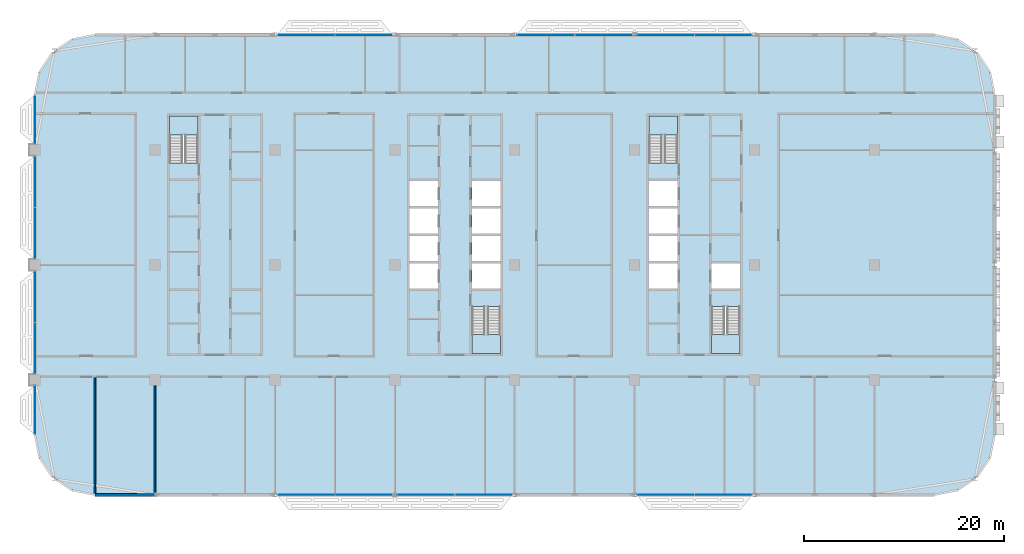
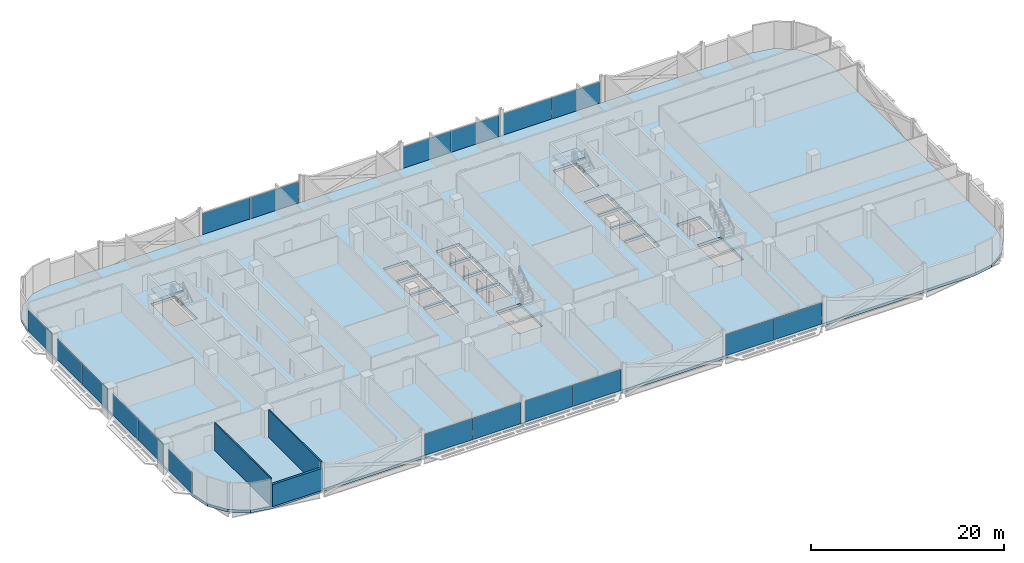
# One storey, part 12 of 29: 18 plates, 5 slabs, 3 walls, 14 elements without a shape of their own.
"""IFC4 building model written with IfcOpenShell, lengths in metres."""

from ifc_helpers import new_model, si_unit, direction, frame, frame_2d, origin, origin_2d, place, context, subcontext, project, spatial, polyline, rectangle, outline, extrude, material, layer, layer_set, type_object, element, aggregate, save


model = new_model("IFC4")

# Units and contexts
model_context = context("Model", 3, precision=1e-05, world=origin(), true_north=direction((0.0, 1.0)))
body_context = subcontext(model_context, "Body", "Model", "MODEL_VIEW")
ifc_project = project(units=[si_unit("LENGTHUNIT", "METRE"), si_unit("AREAUNIT", "SQUARE_METRE"), si_unit("VOLUMEUNIT", "CUBIC_METRE"), si_unit("PLANEANGLEUNIT", "RADIAN"), si_unit("MASSUNIT", "GRAM", prefix="KILO")], contexts=[model_context])

# Site, building, storey
site_placement = place(None, origin())
site = spatial("IfcSite", under=ifc_project, at=site_placement, CompositionType="ELEMENT")
building_placement = place(site_placement, origin())
building = spatial("IfcBuilding", under=site, at=building_placement, Name="Mahtab Terrace Research Tower", CompositionType="ELEMENT")
storey_placement = place(building_placement, frame((0.0, 0.0, 197.699951171875)))
storey = spatial("IfcBuildingStorey", under=building, at=storey_placement, Name="L47", CompositionType="ELEMENT", Elevation=197.699951171875)

# Stair, slab
ifc_material_1 = material(Name="Exit stair half-turn")
stair_type = type_object("IfcStairType", Name="Exit stair half-turn", PredefinedType="HALF_TURN_STAIR", material=ifc_material_1)
stair_1_placement = place(storey_placement, origin())
stair_1 = element("IfcStair", 1, at=stair_1_placement, inside=storey, type_object=stair_type, Name="L47 Protected exit stair ST1", PredefinedType="HALF_TURN_STAIR")
ifc_material_2 = material(Name="Concrete C40/50", Category="concrete")
ifc_layer_1 = layer(ifc_material_2, 0.199951171875)
ifc_layer_set_1 = layer_set([ifc_layer_1], Name="Exit stair landing 200")
slab_type_1 = type_object("IfcSlabType", Name="Exit stair landing 200", PredefinedType="LANDING", material=ifc_layer_set_1)
slab_1_placement = place(storey_placement, frame((0.0, 0.0, 1.699951171875)))
slab_1 = element("IfcSlab", 2, at=slab_1_placement, type_object=slab_type_1, Name="ST1 landing 1", PredefinedType="LANDING", context=body_context, shape_type="SweptSolid", body=[
    extrude(outline(polyline([(-25.699951171875, 12.97509765625), (-25.699951171875, 14.875), (-28.550048828125, 14.875), (-28.550048828125, 12.97509765625), (-25.699951171875, 12.97509765625)])), origin(), (0.0, 0.0, 1.0), 0.2001953125),
])
aggregate(stair_1, [slab_1])

stair_2_placement = place(storey_placement, origin())
stair_2 = element("IfcStair", 3, at=stair_2_placement, inside=storey, type_object=stair_type, Name="L47 Protected exit stair ST2", PredefinedType="HALF_TURN_STAIR")
slab_2_placement = place(storey_placement, frame((0.0, 0.0, 1.699951171875)))
slab_2 = element("IfcSlab", 4, at=slab_2_placement, type_object=slab_type_1, Name="ST2 landing 1", PredefinedType="LANDING", context=body_context, shape_type="SweptSolid", body=[
    extrude(outline(polyline([(1.699951171875, -6.97509765625), (1.699951171875, -8.875), (4.550048828125, -8.875), (4.550048828125, -6.97509765625), (1.699951171875, -6.97509765625)])), origin(), (0.0, 0.0, 1.0), 0.2001953125),
])
aggregate(stair_2, [slab_2])

stair_3_placement = place(storey_placement, origin())
stair_3 = element("IfcStair", 5, at=stair_3_placement, inside=storey, type_object=stair_type, Name="L47 Protected exit stair ST3", PredefinedType="HALF_TURN_STAIR")
slab_3_placement = place(storey_placement, frame((0.0, 0.0, 1.699951171875)))
slab_3 = element("IfcSlab", 6, at=slab_3_placement, type_object=slab_type_1, Name="ST3 landing 1", PredefinedType="LANDING", context=body_context, shape_type="SweptSolid", body=[
    extrude(outline(polyline([(22.300048828125, 12.97509765625), (22.300048828125, 14.875), (19.449951171875, 14.875), (19.449951171875, 12.97509765625), (22.300048828125, 12.97509765625)])), origin(), (0.0, 0.0, 1.0), 0.2001953125),
])
aggregate(stair_3, [slab_3])

stair_4_placement = place(storey_placement, origin())
stair_4 = element("IfcStair", 7, at=stair_4_placement, inside=storey, type_object=stair_type, Name="L47 Protected exit stair ST4", PredefinedType="HALF_TURN_STAIR")
slab_4_placement = place(storey_placement, frame((0.0, 0.0, 1.699951171875)))
slab_4 = element("IfcSlab", 8, at=slab_4_placement, type_object=slab_type_1, Name="ST4 landing 1", PredefinedType="LANDING", context=body_context, shape_type="SweptSolid", body=[
    extrude(outline(polyline([(25.699951171875, -6.97509765625), (25.699951171875, -8.875), (28.550048828125, -8.875), (28.550048828125, -6.97509765625), (25.699951171875, -6.97509765625)])), origin(), (0.0, 0.0, 1.0), 0.2001953125),
])
aggregate(stair_4, [slab_4])

# Curtain wall, plates
ifc_material_3 = material(Name="Laboratory ribbon curtain wall")
curtain_wall_type = type_object("IfcCurtainWallType", Name="Laboratory ribbon curtain wall", PredefinedType="NOTDEFINED", material=ifc_material_3)
curtain_wall_1_placement = place(storey_placement, origin())
curtain_wall_1 = element("IfcCurtainWall", 9, at=curtain_wall_1_placement, inside=storey, type_object=curtain_wall_type, Name="EN.L47.3.5", PredefinedType="NOTDEFINED")
ifc_material_4 = material(Name="Dark glazing", Category="glass")
ifc_layer_2 = layer(ifc_material_4, 0.031982421875)
ifc_layer_set_2 = layer_set([ifc_layer_2], Name="Laboratory ribbon curtain wall glazing panel")
plate_type = type_object("IfcPlateType", Name="Laboratory ribbon curtain wall glazing panel", PredefinedType="CURTAIN_PANEL", material=ifc_layer_set_2)
plate_1_placement = place(storey_placement, frame((26.8837890625, 23.0, 0.0), z_axis=(0.0, 0.0, 1.0), x_axis=(-1.0, 0.0, 0.0)))
plate_1 = element("IfcPlate", 10, at=plate_1_placement, type_object=plate_type, Name="CWL-6 panel 1", PredefinedType="CURTAIN_PANEL", context=body_context, shape_type="SweptSolid", body=[
    extrude(rectangle(XDim=5.702392578125, YDim=0.031982421875, at=origin_2d()), origin(), (0.0, 0.0, 1.0), 2.681884765625),
])
plate_2_placement = place(storey_placement, frame((21.1162109375, 23.0, 0.0), z_axis=(0.0, 0.0, 1.0), x_axis=(-1.0, 0.0, 0.0)))
plate_2 = element("IfcPlate", 11, at=plate_2_placement, type_object=plate_type, Name="CWL-6 panel 2", PredefinedType="CURTAIN_PANEL", context=body_context, shape_type="SweptSolid", body=[
    extrude(rectangle(XDim=5.702392578125, YDim=0.031982421875, at=origin_2d()), origin(), (0.0, 0.0, 1.0), 2.681884765625),
])
aggregate(curtain_wall_1, [plate_1, plate_2])

curtain_wall_2_placement = place(storey_placement, origin())
curtain_wall_2 = element("IfcCurtainWall", 12, at=curtain_wall_2_placement, inside=storey, type_object=curtain_wall_type, Name="EN.L47.3.6", PredefinedType="NOTDEFINED")
plate_3_placement = place(storey_placement, frame((14.8837890625, 23.0, 0.0), z_axis=(0.0, 0.0, 1.0), x_axis=(-1.0, 0.0, 0.0)))
plate_3 = element("IfcPlate", 13, at=plate_3_placement, type_object=plate_type, Name="CWL-6 panel 1", PredefinedType="CURTAIN_PANEL", context=body_context, shape_type="SweptSolid", body=[
    extrude(rectangle(XDim=5.702392578125, YDim=0.031982421875, at=origin_2d()), origin(), (0.0, 0.0, 1.0), 2.681884765625),
])
plate_4_placement = place(storey_placement, frame((9.1162109375, 23.0, 0.0), z_axis=(0.0, 0.0, 1.0), x_axis=(-1.0, 0.0, 0.0)))
plate_4 = element("IfcPlate", 14, at=plate_4_placement, type_object=plate_type, Name="CWL-6 panel 2", PredefinedType="CURTAIN_PANEL", context=body_context, shape_type="SweptSolid", body=[
    extrude(rectangle(XDim=5.702392578125, YDim=0.031982421875, at=origin_2d()), origin(), (0.0, 0.0, 1.0), 2.681884765625),
])
aggregate(curtain_wall_2, [plate_3, plate_4])

curtain_wall_3_placement = place(storey_placement, origin())
curtain_wall_3 = element("IfcCurtainWall", 15, at=curtain_wall_3_placement, inside=storey, type_object=curtain_wall_type, Name="EN.L47.3.8", PredefinedType="NOTDEFINED")
plate_5_placement = place(storey_placement, frame((-9.1162109375, 23.0, 0.0), z_axis=(0.0, 0.0, 1.0), x_axis=(-1.0, 0.0, 0.0)))
plate_5 = element("IfcPlate", 16, at=plate_5_placement, type_object=plate_type, Name="CWL-6 panel 1", PredefinedType="CURTAIN_PANEL", context=body_context, shape_type="SweptSolid", body=[
    extrude(rectangle(XDim=5.702392578125, YDim=0.031982421875, at=origin_2d()), origin(), (0.0, 0.0, 1.0), 2.681884765625),
])
plate_6_placement = place(storey_placement, frame((-14.8837890625, 23.0, 0.0), z_axis=(0.0, 0.0, 1.0), x_axis=(-1.0, 0.0, 0.0)))
plate_6 = element("IfcPlate", 17, at=plate_6_placement, type_object=plate_type, Name="CWL-6 panel 2", PredefinedType="CURTAIN_PANEL", context=body_context, shape_type="SweptSolid", body=[
    extrude(rectangle(XDim=5.702392578125, YDim=0.031982421875, at=origin_2d()), origin(), (0.0, 0.0, 1.0), 2.681884765625),
])
aggregate(curtain_wall_3, [plate_5, plate_6])

# Curtain wall, plate
curtain_wall_4_placement = place(storey_placement, origin())
curtain_wall_4 = element("IfcCurtainWall", 18, at=curtain_wall_4_placement, inside=storey, type_object=curtain_wall_type, Name="EN.L47.8.15", PredefinedType="NOTDEFINED")
plate_7_placement = place(storey_placement, frame((-42.0, 14.52490234375, 0.0), z_axis=(0.0, 0.0, 1.0), x_axis=(0.0, -1.0, 0.0)))
plate_7 = element("IfcPlate", 19, at=plate_7_placement, type_object=plate_type, Name="CWL-6 panel 1", PredefinedType="CURTAIN_PANEL", context=body_context, shape_type="SweptSolid", body=[
    extrude(rectangle(XDim=4.820068359375, YDim=0.031982421875, at=origin_2d()), origin(), (0.0, 0.0, 1.0), 2.681884765625),
])
aggregate(curtain_wall_4, [plate_7])

# Curtain wall, plates
curtain_wall_5_placement = place(storey_placement, origin())
curtain_wall_5 = element("IfcCurtainWall", 20, at=curtain_wall_5_placement, inside=storey, type_object=curtain_wall_type, Name="EN.L47.8.16", PredefinedType="NOTDEFINED")
plate_8_placement = place(storey_placement, frame((-42.0, 8.333740234375, 0.0), z_axis=(0.0, 0.0, 1.0), x_axis=(0.0, -1.0, 0.0)))
plate_8 = element("IfcPlate", 21, at=plate_8_placement, type_object=plate_type, Name="CWL-6 panel 1", PredefinedType="CURTAIN_PANEL", context=body_context, shape_type="SweptSolid", body=[
    extrude(rectangle(XDim=5.1025390625, YDim=0.031982421875, at=origin_2d()), origin(), (0.0, 0.0, 1.0), 2.681884765625),
])
plate_9_placement = place(storey_placement, frame((-42.0, 3.166259765625, 0.0), z_axis=(0.0, 0.0, 1.0), x_axis=(0.0, -1.0, 0.0)))
plate_9 = element("IfcPlate", 22, at=plate_9_placement, type_object=plate_type, Name="CWL-6 panel 2", PredefinedType="CURTAIN_PANEL", context=body_context, shape_type="SweptSolid", body=[
    extrude(rectangle(XDim=5.1025390625, YDim=0.031982421875, at=origin_2d()), origin(), (0.0, 0.0, 1.0), 2.681884765625),
])
aggregate(curtain_wall_5, [plate_8, plate_9])

curtain_wall_6_placement = place(storey_placement, origin())
curtain_wall_6 = element("IfcCurtainWall", 23, at=curtain_wall_6_placement, inside=storey, type_object=curtain_wall_type, Name="EN.L47.8.17", PredefinedType="NOTDEFINED")
plate_10_placement = place(storey_placement, frame((-42.0, -3.166259765625, 0.0), z_axis=(0.0, 0.0, 1.0), x_axis=(0.0, -1.0, 0.0)))
plate_10 = element("IfcPlate", 24, at=plate_10_placement, type_object=plate_type, Name="CWL-6 panel 1", PredefinedType="CURTAIN_PANEL", context=body_context, shape_type="SweptSolid", body=[
    extrude(rectangle(XDim=5.1025390625, YDim=0.031982421875, at=origin_2d()), origin(), (0.0, 0.0, 1.0), 2.681884765625),
])
plate_11_placement = place(storey_placement, frame((-42.0, -8.333740234375, 0.0), z_axis=(0.0, 0.0, 1.0), x_axis=(0.0, -1.0, 0.0)))
plate_11 = element("IfcPlate", 25, at=plate_11_placement, type_object=plate_type, Name="CWL-6 panel 2", PredefinedType="CURTAIN_PANEL", context=body_context, shape_type="SweptSolid", body=[
    extrude(rectangle(XDim=5.1025390625, YDim=0.031982421875, at=origin_2d()), origin(), (0.0, 0.0, 1.0), 2.681884765625),
])
aggregate(curtain_wall_6, [plate_10, plate_11])

# Curtain wall, plate
curtain_wall_7_placement = place(storey_placement, origin())
curtain_wall_7 = element("IfcCurtainWall", 26, at=curtain_wall_7_placement, inside=storey, type_object=curtain_wall_type, Name="EN.L47.8.18", PredefinedType="NOTDEFINED")
plate_12_placement = place(storey_placement, frame((-42.0, -14.52490234375, 0.0), z_axis=(0.0, 0.0, 1.0), x_axis=(0.0, -1.0, 0.0)))
plate_12 = element("IfcPlate", 27, at=plate_12_placement, type_object=plate_type, Name="CWL-6 panel 1", PredefinedType="CURTAIN_PANEL", context=body_context, shape_type="SweptSolid", body=[
    extrude(rectangle(XDim=4.820068359375, YDim=0.031982421875, at=origin_2d()), origin(), (0.0, 0.0, 1.0), 2.681884765625),
])
aggregate(curtain_wall_7, [plate_12])

# Curtain wall, plates
curtain_wall_8_placement = place(storey_placement, origin())
curtain_wall_8 = element("IfcCurtainWall", 28, at=curtain_wall_8_placement, inside=storey, type_object=curtain_wall_type, Name="EN.L47.13.25", PredefinedType="NOTDEFINED")
plate_13_placement = place(storey_placement, frame((-14.8837890625, -23.0, 0.0), z_axis=(0.0, 0.0, 1.0), x_axis=(1.0, 0.0, 0.0)))
plate_13 = element("IfcPlate", 29, at=plate_13_placement, type_object=plate_type, Name="CWL-6 panel 1", PredefinedType="CURTAIN_PANEL", context=body_context, shape_type="SweptSolid", body=[
    extrude(rectangle(XDim=5.702392578125, YDim=0.031982421875, at=origin_2d()), origin(), (0.0, 0.0, 1.0), 2.681884765625),
])
plate_14_placement = place(storey_placement, frame((-9.1162109375, -23.0, 0.0), z_axis=(0.0, 0.0, 1.0), x_axis=(1.0, 0.0, 0.0)))
plate_14 = element("IfcPlate", 30, at=plate_14_placement, type_object=plate_type, Name="CWL-6 panel 2", PredefinedType="CURTAIN_PANEL", context=body_context, shape_type="SweptSolid", body=[
    extrude(rectangle(XDim=5.702392578125, YDim=0.031982421875, at=origin_2d()), origin(), (0.0, 0.0, 1.0), 2.681884765625),
])
aggregate(curtain_wall_8, [plate_13, plate_14])

curtain_wall_9_placement = place(storey_placement, origin())
curtain_wall_9 = element("IfcCurtainWall", 31, at=curtain_wall_9_placement, inside=storey, type_object=curtain_wall_type, Name="EN.L47.13.26", PredefinedType="NOTDEFINED")
plate_15_placement = place(storey_placement, frame((-2.8837890625, -23.0, 0.0), z_axis=(0.0, 0.0, 1.0), x_axis=(1.0, 0.0, 0.0)))
plate_15 = element("IfcPlate", 32, at=plate_15_placement, type_object=plate_type, Name="CWL-6 panel 1", PredefinedType="CURTAIN_PANEL", context=body_context, shape_type="SweptSolid", body=[
    extrude(rectangle(XDim=5.702392578125, YDim=0.031982421875, at=origin_2d()), origin(), (0.0, 0.0, 1.0), 2.681884765625),
])
plate_16_placement = place(storey_placement, frame((2.8837890625, -23.0, 0.0), z_axis=(0.0, 0.0, 1.0), x_axis=(1.0, 0.0, 0.0)))
plate_16 = element("IfcPlate", 33, at=plate_16_placement, type_object=plate_type, Name="CWL-6 panel 2", PredefinedType="CURTAIN_PANEL", context=body_context, shape_type="SweptSolid", body=[
    extrude(rectangle(XDim=5.702392578125, YDim=0.031982421875, at=origin_2d()), origin(), (0.0, 0.0, 1.0), 2.681884765625),
])
aggregate(curtain_wall_9, [plate_15, plate_16])

curtain_wall_10_placement = place(storey_placement, origin())
curtain_wall_10 = element("IfcCurtainWall", 34, at=curtain_wall_10_placement, inside=storey, type_object=curtain_wall_type, Name="EN.L47.13.28", PredefinedType="NOTDEFINED")
plate_17_placement = place(storey_placement, frame((21.1162109375, -23.0, 0.0), z_axis=(0.0, 0.0, 1.0), x_axis=(1.0, 0.0, 0.0)))
plate_17 = element("IfcPlate", 35, at=plate_17_placement, type_object=plate_type, Name="CWL-6 panel 1", PredefinedType="CURTAIN_PANEL", context=body_context, shape_type="SweptSolid", body=[
    extrude(rectangle(XDim=5.702392578125, YDim=0.031982421875, at=origin_2d()), origin(), (0.0, 0.0, 1.0), 2.681884765625),
])
plate_18_placement = place(storey_placement, frame((26.8837890625, -23.0, 0.0), z_axis=(0.0, 0.0, 1.0), x_axis=(1.0, 0.0, 0.0)))
plate_18 = element("IfcPlate", 36, at=plate_18_placement, type_object=plate_type, Name="CWL-6 panel 2", PredefinedType="CURTAIN_PANEL", context=body_context, shape_type="SweptSolid", body=[
    extrude(rectangle(XDim=5.702392578125, YDim=0.031982421875, at=origin_2d()), origin(), (0.0, 0.0, 1.0), 2.681884765625),
])
aggregate(curtain_wall_10, [plate_17, plate_18])

# Slab
ifc_layer_3 = layer(ifc_material_2, 0.340087890625)
ifc_layer_set_3 = layer_set([ifc_layer_3], Name="PT flat slab 340")
slab_type_2 = type_object("IfcSlabType", Name="PT flat slab 340", PredefinedType="FLOOR", material=ifc_layer_set_3)
slab_5_placement = place(storey_placement, frame((0.0, 0.0, -0.33984375)))
element("IfcSlab", 37, at=slab_5_placement, inside=storey, type_object=slab_type_2, Name="Floor slab L47", PredefinedType="FLOOR", context=body_context, shape_type="SweptSolid", body=[
    extrude(outline(polyline([(53.54296875, 19.2958984375), (52.242919921875, 21.242919921875), (50.2958984375, 22.54296875), (48.0, 23.0), (-36.0, 23.0), (-38.2958984375, 22.54296875), (-40.242919921875, 21.242919921875), (-41.54296875, 19.2958984375), (-42.0, 17.0), (-42.0, -17.0), (-41.54296875, -19.2958984375), (-40.242919921875, -21.242919921875), (-38.2958984375, -22.54296875), (-36.0, -23.0), (48.0, -23.0), (50.2958984375, -22.54296875), (52.242919921875, -21.242919921875), (53.54296875, -19.2958984375), (54.0, -17.0), (54.0, 17.0), (53.54296875, 19.2958984375)]), holes=[polyline([(-4.550048828125, -2.375), (-4.550048828125, 0.125), (-1.699951171875, 0.125), (-1.699951171875, -2.375), (-4.550048828125, -2.375)]), polyline([(1.699951171875, -2.375), (1.699951171875, 0.125), (4.550048828125, 0.125), (4.550048828125, -2.375), (1.699951171875, -2.375)]), polyline([(-4.550048828125, 0.375), (-4.550048828125, 2.875), (-1.699951171875, 2.875), (-1.699951171875, 0.375), (-4.550048828125, 0.375)]), polyline([(1.699951171875, 0.375), (1.699951171875, 2.875), (4.550048828125, 2.875), (4.550048828125, 0.375), (1.699951171875, 0.375)]), polyline([(-4.550048828125, 3.125), (-4.550048828125, 5.625), (-1.699951171875, 5.625), (-1.699951171875, 3.125), (-4.550048828125, 3.125)]), polyline([(1.699951171875, 3.125), (1.699951171875, 5.625), (4.550048828125, 5.625), (4.550048828125, 3.125), (1.699951171875, 3.125)]), polyline([(-4.550048828125, 5.875), (-4.550048828125, 8.375), (-1.699951171875, 8.375), (-1.699951171875, 5.875), (-4.550048828125, 5.875)]), polyline([(1.699951171875, 5.875), (1.699951171875, 8.375), (4.550048828125, 8.375), (4.550048828125, 5.875), (1.699951171875, 5.875)]), polyline([(-28.550048828125, 10.177001953125), (-28.550048828125, 14.875), (-25.699951171875, 14.875), (-25.699951171875, 10.177001953125), (-28.550048828125, 10.177001953125)]), polyline([(1.699951171875, -8.875), (1.699951171875, -4.177001953125), (4.550048828125, -4.177001953125), (4.550048828125, -8.875), (1.699951171875, -8.875)]), polyline([(25.699951171875, -8.875), (25.699951171875, -4.177001953125), (28.550048828125, -4.177001953125), (28.550048828125, -8.875), (25.699951171875, -8.875)]), polyline([(19.449951171875, -2.375), (19.449951171875, 0.125), (22.300048828125, 0.125), (22.300048828125, -2.375), (19.449951171875, -2.375)]), polyline([(25.699951171875, -2.375), (25.699951171875, 0.125), (28.550048828125, 0.125), (28.550048828125, -2.375), (25.699951171875, -2.375)]), polyline([(19.449951171875, 0.375), (19.449951171875, 2.875), (22.300048828125, 2.875), (22.300048828125, 0.375), (19.449951171875, 0.375)]), polyline([(19.449951171875, 3.125), (19.449951171875, 5.625), (22.300048828125, 5.625), (22.300048828125, 3.125), (19.449951171875, 3.125)]), polyline([(19.449951171875, 8.375), (22.300048828125, 8.375), (22.300048828125, 5.875), (19.449951171875, 5.875), (19.449951171875, 8.375)]), polyline([(19.449951171875, 14.875), (22.300048828125, 14.875), (22.300048828125, 10.177001953125), (19.449951171875, 10.177001953125), (19.449951171875, 14.875)])]), origin(), (0.0, 0.0, 1.0), 0.33984375),
])

# Walls
ifc_material_5 = material(Name="Black aluminium cladding panel", Category="aluminium")
ifc_layer_4 = layer(ifc_material_5, 0.300048828125)
ifc_layer_set_4 = layer_set([ifc_layer_4], Name="Opaque facade wall 300")
wall_type_1 = type_object("IfcWallType", Name="Opaque facade wall 300", PredefinedType="NOTDEFINED", material=ifc_layer_set_4)
wall_1_placement = place(storey_placement, frame((-36.0, -23.0, 0.0), z_axis=(0.0, 0.0, 1.0), x_axis=(1.0, 0.0, 0.0)))
element("IfcWall", 38, at=wall_1_placement, inside=storey, type_object=wall_type_1, Name="Opaque facade wall L47 S23", PredefinedType="NOTDEFINED", context=body_context, shape_type="SweptSolid", body=[
    extrude(rectangle(XDim=5.987548828125, YDim=0.300048828125, at=frame_2d((2.99365234375, 0.0))), origin(), (0.0, 0.0, 1.0), 2.78173828125),
])
ifc_material_6 = material(Name="Gypsum board partition on steel studs", Category="steel")
ifc_layer_5 = layer(ifc_material_6, 0.14990234375)
ifc_layer_set_5 = layer_set([ifc_layer_5], Name="WALL PARTITION 150")
wall_type_2 = type_object("IfcWallType", Name="WALL PARTITION 150", PredefinedType="PARTITIONING", material=ifc_layer_set_5)
wall_2_placement = place(storey_placement, frame((-36.0, -22.84716796875, 0.0), z_axis=(0.0, 0.0, 1.0), x_axis=(0.0, 1.0, 0.0)))
element("IfcWall", 39, at=wall_2_placement, inside=storey, type_object=wall_type_2, Name="L47-W025", PredefinedType="PARTITIONING", context=body_context, shape_type="SweptSolid", body=[
    extrude(rectangle(XDim=11.547119140625, YDim=0.14990234375, at=frame_2d((5.7734375, 0.0))), origin(), (0.0, 0.0, 1.0), 3.4599609375),
])
wall_3_placement = place(storey_placement, frame((-30.0, -22.85009765625, 0.0), z_axis=(0.0, 0.0, 1.0), x_axis=(0.0, 1.0, 0.0)))
element("IfcWall", 40, at=wall_3_placement, inside=storey, type_object=wall_type_2, Name="L47-W028", PredefinedType="PARTITIONING", context=body_context, shape_type="SweptSolid", body=[
    extrude(rectangle(XDim=10.800048828125, YDim=0.14990234375, at=frame_2d((5.39990234375, 0.0))), origin(), (0.0, 0.0, 1.0), 3.4599609375),
])

save(model, "model.ifc")
